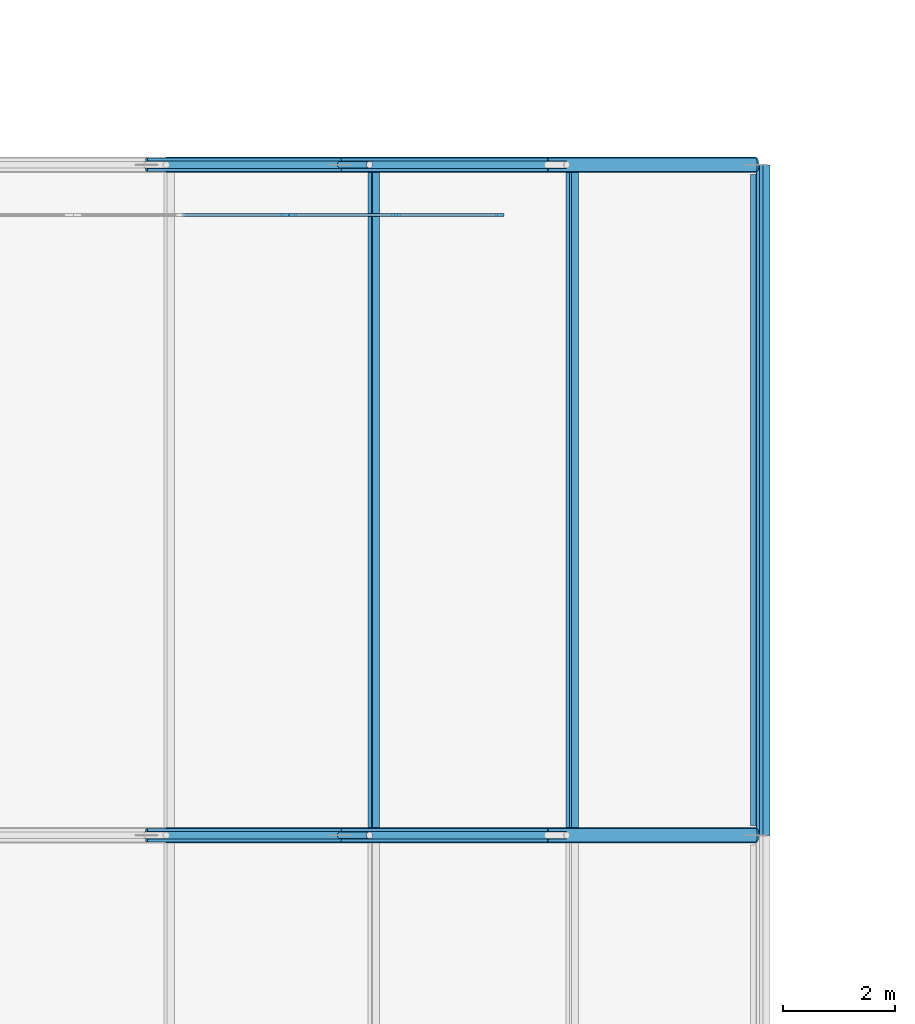
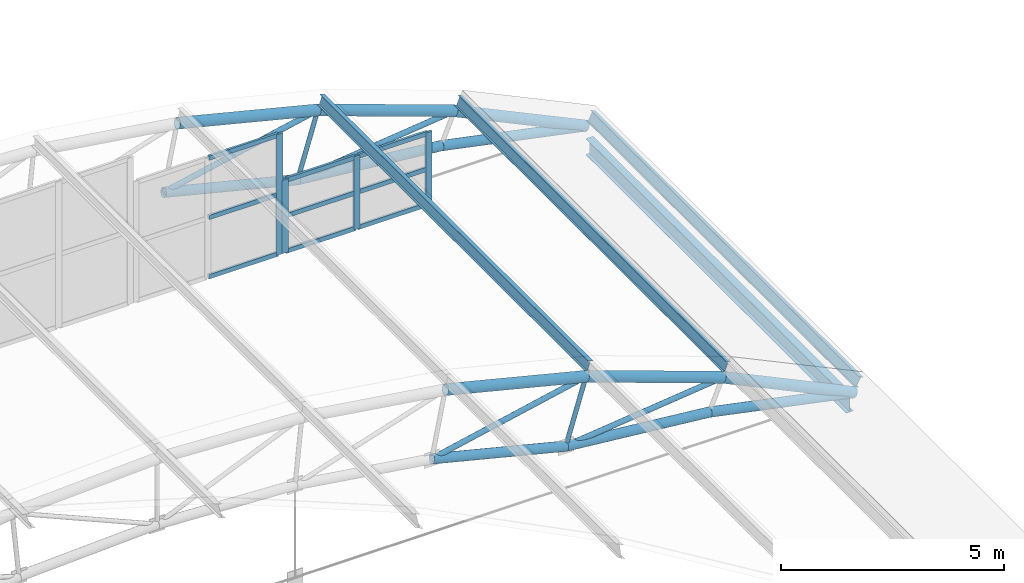
# One storey, part 226 of 321: 34 members, 1 beam, 2 elements without a shape of their own.
"""IFC4 building model written with IfcOpenShell, lengths in metres."""

from ifc_helpers import new_model, si_unit, direction, frame, origin, origin_2d, place, context, subcontext, project, spatial, rectangle, hollow_circle, i_section, extrude, material, layer, layer_set, material_profile, profile_set, type_object, element, aggregate, save


model = new_model("IFC4")

# Units and contexts
model_context = context("Model", 3, precision=1e-05, world=origin(), true_north=direction((0.0, 1.0)))
body_context = subcontext(model_context, "Body", "Model", "MODEL_VIEW")
ifc_project = project(units=[si_unit("LENGTHUNIT", "METRE"), si_unit("AREAUNIT", "SQUARE_METRE"), si_unit("VOLUMEUNIT", "CUBIC_METRE"), si_unit("PLANEANGLEUNIT", "RADIAN"), si_unit("MASSUNIT", "GRAM", prefix="KILO")], contexts=[model_context])

# Site, building, storey
site_placement = place(None, origin())
site = spatial("IfcSite", under=ifc_project, at=site_placement, CompositionType="ELEMENT")
building_placement = place(site_placement, origin())
building = spatial("IfcBuilding", under=site, at=building_placement, Name="Ravi Spectrum Wholesale Market", CompositionType="ELEMENT")
storey_placement = place(building_placement, frame((0.0, 0.0, 10.800048828125)))
storey = spatial("IfcBuildingStorey", under=building, at=storey_placement, Name="L02", CompositionType="ELEMENT", Elevation=10.800048828125)

# Members
ifc_material_1 = material(Name="Steel S355", Category="steel")
ifc_material_profile_1 = material_profile(ifc_material_1, hollow_circle(Radius=0.05712890625, WallThickness=0.00390625, at=origin_2d()))
ifc_profile_set_1 = profile_set([ifc_material_profile_1], Name="Steel S355")
member_type_1 = type_object("IfcMemberType", Name="CHS 114.3x4 post", PredefinedType="POST", material=ifc_profile_set_1)
for number, where, z_axis, x_axis, name in (
    (1, (191.083251953125, 174.0, 2.859130859375), (-0.28969871245, 0.0, -0.957117890338), (0.0, -1.0, 0.0), "H3-MB-L02-148"),
    (2, (191.083251953125, 186.0, 2.859130859375), (-0.28969871245, 0.0, -0.957117890338), (0.0, -1.0, 0.0), "H3-MB-L02-188"),
):
    element("IfcMember", number, at=place(storey_placement, frame(where, z_axis=z_axis, x_axis=x_axis)), inside=storey, type_object=member_type_1, Name=name, PredefinedType="POST", context=body_context, shape_type="SweptSolid", body=[
        extrude(hollow_circle(Radius=0.05712890625, WallThickness=0.00390625, at=origin_2d()), origin(), (0.0, 0.0, 1.0), 1.800048828125),
    ])
ifc_material_2 = material(Name="Steel S355", Category="steel")
ifc_material_profile_2 = material_profile(ifc_material_2, hollow_circle(Radius=0.06982421875, WallThickness=0.0048828125, at=origin_2d()))
ifc_profile_set_2 = profile_set([ifc_material_profile_2], Name="Steel S355")
member_type_2 = type_object("IfcMemberType", Name="CHS 139.7x5 brace", PredefinedType="BRACE", material=ifc_profile_set_2)
for number, where, z_axis, x_axis, name in (
    (3, (191.083251953125, 174.0, 2.859130859375), (-0.977654929292, 0.0, -0.210216172618), (0.0, -1.0, 0.0), "H3-MB-L02-156"),
    (4, (194.61181640625, 174.0, 1.59912109375), (-0.993531900469, 0.0, -0.113553347597), (0.0, -1.0, 0.0), "H3-MB-L02-157"),
    (5, (191.083251953125, 186.0, 2.859130859375), (-0.977654929292, 0.0, -0.210216172618), (0.0, -1.0, 0.0), "H3-MB-L02-196"),
    (6, (194.61181640625, 186.0, 1.59912109375), (-0.993531900469, 0.0, -0.113553347597), (0.0, -1.0, 0.0), "H3-MB-L02-197"),
):
    element("IfcMember", number, at=place(storey_placement, frame(where, z_axis=z_axis, x_axis=x_axis)), inside=storey, type_object=member_type_2, Name=name, PredefinedType="BRACE", context=body_context, shape_type="SweptSolid", body=[
        extrude(hollow_circle(Radius=0.06982421875, WallThickness=0.0048828125, at=origin_2d()), origin(), (0.0, 0.0, 1.0), 4.076416015625),
    ])
ifc_material_3 = material(Name="Steel S355", Category="steel")
ifc_material_profile_3 = material_profile(ifc_material_3, hollow_circle(Radius=0.122314453125, WallThickness=0.008056640625, at=origin_2d()))
ifc_profile_set_3 = profile_set([ifc_material_profile_3], Name="Steel S355")
member_type_3 = type_object("IfcMemberType", Name="CHS 244.5x8 chord", PredefinedType="CHORD", material=ifc_profile_set_3)
member_1_placement = place(storey_placement, frame((187.097900390625, 174.0, 2.002197265625), z_axis=(0.970142500145, 0.0, -0.242535625036), x_axis=(0.0, 1.0, 0.0)))
element("IfcMember", 7, at=member_1_placement, inside=storey, type_object=member_type_3, Name="H3-MB-L02-138", PredefinedType="CHORD", context=body_context, shape_type="SweptSolid", body=[
    extrude(hollow_circle(Radius=0.122314453125, WallThickness=0.008056640625, at=origin_2d()), origin(), (0.0, 0.0, 1.0), 3.570556640625),
])
member_2_placement = place(storey_placement, frame((190.561767578125, 174.0, 1.13623046875), z_axis=(0.995082518714, 0.0, -0.099049386415), x_axis=(0.0, 1.0, 0.0)))
element("IfcMember", 8, at=member_2_placement, inside=storey, type_object=member_type_3, Name="H3-MB-L02-139", PredefinedType="CHORD", context=body_context, shape_type="SweptSolid", body=[
    extrude(hollow_circle(Radius=0.122314453125, WallThickness=0.008056640625, at=origin_2d()), origin(), (0.0, 0.0, 1.0), 3.724365234375),
])
member_3_placement = place(storey_placement, frame((194.267822265625, 174.0, 0.767333984375), z_axis=(0.979511723372, 0.0, -0.201387148987), x_axis=(0.0, 1.0, 0.0)))
element("IfcMember", 9, at=member_3_placement, inside=storey, type_object=member_type_3, Name="H3-MB-L02-140", PredefinedType="CHORD", context=body_context, shape_type="SweptSolid", body=[
    extrude(hollow_circle(Radius=0.122314453125, WallThickness=0.008056640625, at=origin_2d()), origin(), (0.0, 0.0, 1.0), 3.810302734375),
])
member_4_placement = place(storey_placement, frame((187.097900390625, 186.0, 2.002197265625), z_axis=(0.970142500145, 0.0, -0.242535625036), x_axis=(0.0, 1.0, 0.0)))
element("IfcMember", 10, at=member_4_placement, inside=storey, type_object=member_type_3, Name="H3-MB-L02-178", PredefinedType="CHORD", context=body_context, shape_type="SweptSolid", body=[
    extrude(hollow_circle(Radius=0.122314453125, WallThickness=0.008056640625, at=origin_2d()), origin(), (0.0, 0.0, 1.0), 3.570556640625),
])
member_5_placement = place(storey_placement, frame((190.561767578125, 186.0, 1.13623046875), z_axis=(0.995082518714, 0.0, -0.099049386415), x_axis=(0.0, 1.0, 0.0)))
element("IfcMember", 11, at=member_5_placement, inside=storey, type_object=member_type_3, Name="H3-MB-L02-179", PredefinedType="CHORD", context=body_context, shape_type="SweptSolid", body=[
    extrude(hollow_circle(Radius=0.122314453125, WallThickness=0.008056640625, at=origin_2d()), origin(), (0.0, 0.0, 1.0), 3.724365234375),
])
member_6_placement = place(storey_placement, frame((194.267822265625, 186.0, 0.767333984375), z_axis=(0.979511723372, 0.0, -0.201387148987), x_axis=(0.0, 1.0, 0.0)))
element("IfcMember", 12, at=member_6_placement, inside=storey, type_object=member_type_3, Name="H3-MB-L02-180", PredefinedType="CHORD", context=body_context, shape_type="SweptSolid", body=[
    extrude(hollow_circle(Radius=0.122314453125, WallThickness=0.008056640625, at=origin_2d()), origin(), (0.0, 0.0, 1.0), 3.810302734375),
])
ifc_material_4 = material(Name="Steel S355", Category="steel")
ifc_material_profile_4 = material_profile(ifc_material_4, hollow_circle(Radius=0.136474609375, WallThickness=0.010009765625, at=origin_2d()))
ifc_profile_set_4 = profile_set([ifc_material_profile_4], Name="Steel S355")
member_type_4 = type_object("IfcMemberType", Name="CHS 273x10 chord", PredefinedType="CHORD", material=ifc_profile_set_4)
member_7_placement = place(storey_placement, frame((187.448486328125, 174.0, 3.767822265625), z_axis=(0.970142500145, 0.0, -0.242535625036), x_axis=(0.0, 1.0, 0.0)))
element("IfcMember", 13, at=member_7_placement, inside=storey, type_object=member_type_4, Name="H3-MB-L02-128", PredefinedType="CHORD", context=body_context, shape_type="SweptSolid", body=[
    extrude(hollow_circle(Radius=0.136474609375, WallThickness=0.010009765625, at=origin_2d()), origin(), (0.0, 0.0, 1.0), 3.74658203125),
])
member_8_placement = place(storey_placement, frame((191.083251953125, 174.0, 2.859130859375), z_axis=(0.941758126801, 0.0, -0.336290990965), x_axis=(0.0, 1.0, 0.0)))
element("IfcMember", 14, at=member_8_placement, inside=storey, type_object=member_type_4, Name="H3-MB-L02-129", PredefinedType="CHORD", context=body_context, shape_type="SweptSolid", body=[
    extrude(hollow_circle(Radius=0.136474609375, WallThickness=0.010009765625, at=origin_2d()), origin(), (0.0, 0.0, 1.0), 3.746826171875),
])
for number, where, z_axis, x_axis, name in (
    (15, (194.61181640625, 174.0, 1.59912109375), (0.904336690514, 0.0, -0.426819809978), (0.0, 1.0, 0.0), "H3-MB-L02-130"),
    (16, (187.448486328125, 186.0, 3.767822265625), (0.970142500145, 0.0, -0.242535625036), (0.0, 1.0, 0.0), "H3-MB-L02-168"),
):
    element("IfcMember", number, at=place(storey_placement, frame(where, z_axis=z_axis, x_axis=x_axis)), inside=storey, type_object=member_type_4, Name=name, PredefinedType="CHORD", context=body_context, shape_type="SweptSolid", body=[
        extrude(hollow_circle(Radius=0.136474609375, WallThickness=0.010009765625, at=origin_2d()), origin(), (0.0, 0.0, 1.0), 3.74658203125),
    ])
member_9_placement = place(storey_placement, frame((191.083251953125, 186.0, 2.859130859375), z_axis=(0.941758126801, 0.0, -0.336290990965), x_axis=(0.0, 1.0, 0.0)))
element("IfcMember", 17, at=member_9_placement, inside=storey, type_object=member_type_4, Name="H3-MB-L02-169", PredefinedType="CHORD", context=body_context, shape_type="SweptSolid", body=[
    extrude(hollow_circle(Radius=0.136474609375, WallThickness=0.010009765625, at=origin_2d()), origin(), (0.0, 0.0, 1.0), 3.746826171875),
])
member_10_placement = place(storey_placement, frame((194.61181640625, 186.0, 1.59912109375), z_axis=(0.904336690514, 0.0, -0.426819809978), x_axis=(0.0, 1.0, 0.0)))
element("IfcMember", 18, at=member_10_placement, inside=storey, type_object=member_type_4, Name="H3-MB-L02-170", PredefinedType="CHORD", context=body_context, shape_type="SweptSolid", body=[
    extrude(hollow_circle(Radius=0.136474609375, WallThickness=0.010009765625, at=origin_2d()), origin(), (0.0, 0.0, 1.0), 3.74658203125),
])
ifc_material_5 = material(Name="Steel S355", Category="steel")
ifc_material_profile_5 = material_profile(ifc_material_5, i_section(OverallWidth=0.135009765625, OverallDepth=0.27001953125, WebThickness=0.006591796875, FlangeThickness=0.01025390625, at=origin_2d()))
ifc_profile_set_5 = profile_set([ifc_material_profile_5], Name="Steel S355")
member_type_5 = type_object("IfcMemberType", Name="IPE 270 purlin", PredefinedType="PURLIN", material=ifc_profile_set_5)
for number, where, z_axis, x_axis, name in (
    (19, (191.161865234375, 174.0, 3.118896484375), (0.0, 1.0, 0.0), (-0.957099823898, 0.0, 0.289758394347), "H3-MB-L02-242"),
    (20, (194.71533203125, 174.0, 1.85009765625), (0.0, 1.0, 0.0), (-0.924159872545, 0.0, 0.382005929244), "H3-MB-L02-243"),
    (21, (198.127685546875, 174.0, 0.239501953125), (0.0, 1.0, 0.0), (-0.88235294065, 0.0, 0.470588236282), "H3-MB-L02-244"),
):
    element("IfcMember", number, at=place(storey_placement, frame(where, z_axis=z_axis, x_axis=x_axis)), inside=storey, type_object=member_type_5, Name=name, PredefinedType="PURLIN", context=body_context, shape_type="SweptSolid", body=[
        extrude(i_section(OverallWidth=0.135009765625, OverallDepth=0.27001953125, WebThickness=0.006591796875, FlangeThickness=0.01025390625, at=origin_2d()), origin(), (0.0, 0.0, 1.0), 12.0),
    ])

# Beam
ifc_material_6 = material(Name="Steel S355", Category="steel")
ifc_material_profile_6 = material_profile(ifc_material_6, i_section(OverallWidth=0.18994140625, OverallDepth=0.449951171875, WebThickness=0.009521484375, FlangeThickness=0.0146484375, at=origin_2d()))
ifc_profile_set_6 = profile_set([ifc_material_profile_6], Name="Steel S355")
beam_type = type_object("IfcBeamType", Name="IPE 450 girder", PredefinedType="BEAM", material=ifc_profile_set_6)
beam_placement = place(storey_placement, frame((198.0, 174.177734375, -0.425048828125), z_axis=(0.0, 1.0, 0.0), x_axis=(-1.0, 0.0, 0.0)))
element("IfcBeam", 22, at=beam_placement, inside=storey, type_object=beam_type, Name="H3-BM-L02-008", PredefinedType="BEAM", context=body_context, shape_type="SweptSolid", body=[
    extrude(i_section(OverallWidth=0.18994140625, OverallDepth=0.449951171875, WebThickness=0.009521484375, FlangeThickness=0.0146484375, at=origin_2d()), origin(), (0.0, 0.0, 1.0), 11.64453125),
])

# Curtain wall, member
ifc_material_7 = material(Name="Aluminium 6063-T6", Category="aluminium")
ifc_layer = layer(ifc_material_7, 0.14990234375)
ifc_layer_set = layer_set([ifc_layer], Name="Aluminium 6063-T6")
curtain_wall_type = type_object("IfcCurtainWallType", Name="Curtain wall 150", PredefinedType="NOTDEFINED", material=ifc_layer_set)
curtain_wall_1_placement = place(storey_placement, origin())
curtain_wall_1 = element("IfcCurtainWall", 23, at=curtain_wall_1_placement, inside=storey, type_object=curtain_wall_type, Name="H3-CW-L02-013", PredefinedType="NOTDEFINED")
ifc_material_8 = material(Name="Aluminium 6063-T6", Category="aluminium")
ifc_material_profile_7 = material_profile(ifc_material_8, rectangle(XDim=0.06005859375, YDim=0.159912109375, at=origin_2d()))
ifc_profile_set_7 = profile_set([ifc_material_profile_7], Name="Aluminium 6063-T6")
member_type_6 = type_object("IfcMemberType", Name="Mullion 60 x 160", PredefinedType="MULLION", material=ifc_profile_set_7)
member_11_placement = place(storey_placement, frame((189.564453125, 185.10009765625, 0.0), z_axis=(0.0, 0.0, 1.0), x_axis=(0.0, 1.0, 0.0)))
member_11 = element("IfcMember", 24, at=member_11_placement, type_object=member_type_6, Name="H3-CW-L02-013 mullion 3", PredefinedType="MULLION", context=body_context, shape_type="SweptSolid", body=[
    extrude(rectangle(XDim=0.06005859375, YDim=0.159912109375, at=origin_2d()), origin(), (0.0, 0.0, 1.0), 3.300048828125),
])

# Curtain wall, members
curtain_wall_2_placement = place(storey_placement, origin())
curtain_wall_2 = element("IfcCurtainWall", 25, at=curtain_wall_2_placement, inside=storey, type_object=curtain_wall_type, Name="H3-CW-L02-014", PredefinedType="NOTDEFINED")
member_12_placement = place(storey_placement, frame((189.70458984375, 185.10009765625, 0.0), z_axis=(0.0, 0.0, 1.0), x_axis=(0.0, 1.0, 0.0)))
member_12 = element("IfcMember", 26, at=member_12_placement, type_object=member_type_6, Name="H3-CW-L02-014 mullion 1", PredefinedType="MULLION", context=body_context, shape_type="SweptSolid", body=[
    extrude(rectangle(XDim=0.06005859375, YDim=0.159912109375, at=origin_2d()), origin(), (0.0, 0.0, 1.0), 2.0),
])
member_13_placement = place(storey_placement, frame((191.5615234375, 185.10009765625, 0.0), z_axis=(0.0, 0.0, 1.0), x_axis=(0.0, 1.0, 0.0)))
member_13 = element("IfcMember", 27, at=member_13_placement, type_object=member_type_6, Name="H3-CW-L02-014 mullion 2", PredefinedType="MULLION", context=body_context, shape_type="SweptSolid", body=[
    extrude(rectangle(XDim=0.06005859375, YDim=0.159912109375, at=origin_2d()), origin(), (0.0, 0.0, 1.0), 2.0),
])
member_14_placement = place(storey_placement, frame((193.41845703125, 185.10009765625, 0.0), z_axis=(0.0, 0.0, 1.0), x_axis=(0.0, 1.0, 0.0)))
member_14 = element("IfcMember", 28, at=member_14_placement, type_object=member_type_6, Name="H3-CW-L02-014 mullion 3", PredefinedType="MULLION", context=body_context, shape_type="SweptSolid", body=[
    extrude(rectangle(XDim=0.06005859375, YDim=0.159912109375, at=origin_2d()), origin(), (0.0, 0.0, 1.0), 2.0),
])

# Member
ifc_material_9 = material(Name="Aluminium 6063-T6", Category="aluminium")
ifc_material_profile_8 = material_profile(ifc_material_9, rectangle(XDim=0.06005859375, YDim=0.1201171875, at=origin_2d()))
ifc_profile_set_8 = profile_set([ifc_material_profile_8], Name="Aluminium 6063-T6")
member_type_7 = type_object("IfcMemberType", Name="Transom 60 x 120", PredefinedType="USERDEFINED", material=ifc_profile_set_8)
member_15_placement = place(storey_placement, frame((187.737548828125, 185.10009765625, 0.030029296875), z_axis=(1.0, 0.0, 0.0), x_axis=(0.0, 1.0, 0.0)))
member_15 = element("IfcMember", 29, at=member_15_placement, type_object=member_type_7, Name="H3-CW-L02-013 transom 2.1", ObjectType="TRANSOM", PredefinedType="USERDEFINED", context=body_context, shape_type="SweptSolid", body=[
    extrude(rectangle(XDim=0.06005859375, YDim=0.1201171875, at=origin_2d()), origin(), (0.0, 0.0, 1.0), 1.797119140625),
])

member_16_placement = place(storey_placement, frame((187.737548828125, 185.10009765625, 1.64990234375), z_axis=(1.0, 0.0, 0.0), x_axis=(0.0, 1.0, 0.0)))
member_16 = element("IfcMember", 30, at=member_16_placement, type_object=member_type_7, Name="H3-CW-L02-013 transom 2.2", ObjectType="TRANSOM", PredefinedType="USERDEFINED", context=body_context, shape_type="SweptSolid", body=[
    extrude(rectangle(XDim=0.06005859375, YDim=0.1201171875, at=origin_2d()), origin(), (0.0, 0.0, 1.0), 1.797119140625),
])

member_17_placement = place(storey_placement, frame((187.737548828125, 185.10009765625, 3.27001953125), z_axis=(1.0, 0.0, 0.0), x_axis=(0.0, 1.0, 0.0)))
member_17 = element("IfcMember", 31, at=member_17_placement, type_object=member_type_7, Name="H3-CW-L02-013 transom 2.3", ObjectType="TRANSOM", PredefinedType="USERDEFINED", context=body_context, shape_type="SweptSolid", body=[
    extrude(rectangle(XDim=0.06005859375, YDim=0.1201171875, at=origin_2d()), origin(), (0.0, 0.0, 1.0), 1.797119140625),
])

aggregate(curtain_wall_1, [member_11, member_15, member_16, member_17])

member_18_placement = place(storey_placement, frame((189.734619140625, 185.10009765625, 0.030029296875), z_axis=(1.0, 0.0, 0.0), x_axis=(0.0, 1.0, 0.0)))
member_18 = element("IfcMember", 32, at=member_18_placement, type_object=member_type_7, Name="H3-CW-L02-014 transom 1.1", ObjectType="TRANSOM", PredefinedType="USERDEFINED", context=body_context, shape_type="SweptSolid", body=[
    extrude(rectangle(XDim=0.06005859375, YDim=0.1201171875, at=origin_2d()), origin(), (0.0, 0.0, 1.0), 1.796875),
])

member_19_placement = place(storey_placement, frame((189.734619140625, 185.10009765625, 1.0), z_axis=(1.0, 0.0, 0.0), x_axis=(0.0, 1.0, 0.0)))
member_19 = element("IfcMember", 33, at=member_19_placement, type_object=member_type_7, Name="H3-CW-L02-014 transom 1.2", ObjectType="TRANSOM", PredefinedType="USERDEFINED", context=body_context, shape_type="SweptSolid", body=[
    extrude(rectangle(XDim=0.06005859375, YDim=0.1201171875, at=origin_2d()), origin(), (0.0, 0.0, 1.0), 1.796875),
])

member_20_placement = place(storey_placement, frame((189.734619140625, 185.10009765625, 1.969970703125), z_axis=(1.0, 0.0, 0.0), x_axis=(0.0, 1.0, 0.0)))
member_20 = element("IfcMember", 34, at=member_20_placement, type_object=member_type_7, Name="H3-CW-L02-014 transom 1.3", ObjectType="TRANSOM", PredefinedType="USERDEFINED", context=body_context, shape_type="SweptSolid", body=[
    extrude(rectangle(XDim=0.06005859375, YDim=0.1201171875, at=origin_2d()), origin(), (0.0, 0.0, 1.0), 1.796875),
])

member_21_placement = place(storey_placement, frame((191.591552734375, 185.10009765625, 0.030029296875), z_axis=(1.0, 0.0, 0.0), x_axis=(0.0, 1.0, 0.0)))
member_21 = element("IfcMember", 35, at=member_21_placement, type_object=member_type_7, Name="H3-CW-L02-014 transom 2.1", ObjectType="TRANSOM", PredefinedType="USERDEFINED", context=body_context, shape_type="SweptSolid", body=[
    extrude(rectangle(XDim=0.06005859375, YDim=0.1201171875, at=origin_2d()), origin(), (0.0, 0.0, 1.0), 1.796875),
])

member_22_placement = place(storey_placement, frame((191.591552734375, 185.10009765625, 1.0), z_axis=(1.0, 0.0, 0.0), x_axis=(0.0, 1.0, 0.0)))
member_22 = element("IfcMember", 36, at=member_22_placement, type_object=member_type_7, Name="H3-CW-L02-014 transom 2.2", ObjectType="TRANSOM", PredefinedType="USERDEFINED", context=body_context, shape_type="SweptSolid", body=[
    extrude(rectangle(XDim=0.06005859375, YDim=0.1201171875, at=origin_2d()), origin(), (0.0, 0.0, 1.0), 1.796875),
])

member_23_placement = place(storey_placement, frame((191.591552734375, 185.10009765625, 1.969970703125), z_axis=(1.0, 0.0, 0.0), x_axis=(0.0, 1.0, 0.0)))
member_23 = element("IfcMember", 37, at=member_23_placement, type_object=member_type_7, Name="H3-CW-L02-014 transom 2.3", ObjectType="TRANSOM", PredefinedType="USERDEFINED", context=body_context, shape_type="SweptSolid", body=[
    extrude(rectangle(XDim=0.06005859375, YDim=0.1201171875, at=origin_2d()), origin(), (0.0, 0.0, 1.0), 1.796875),
])

aggregate(curtain_wall_2, [member_12, member_13, member_14, member_18, member_19, member_20, member_21, member_22, member_23])

save(model, "model.ifc")
